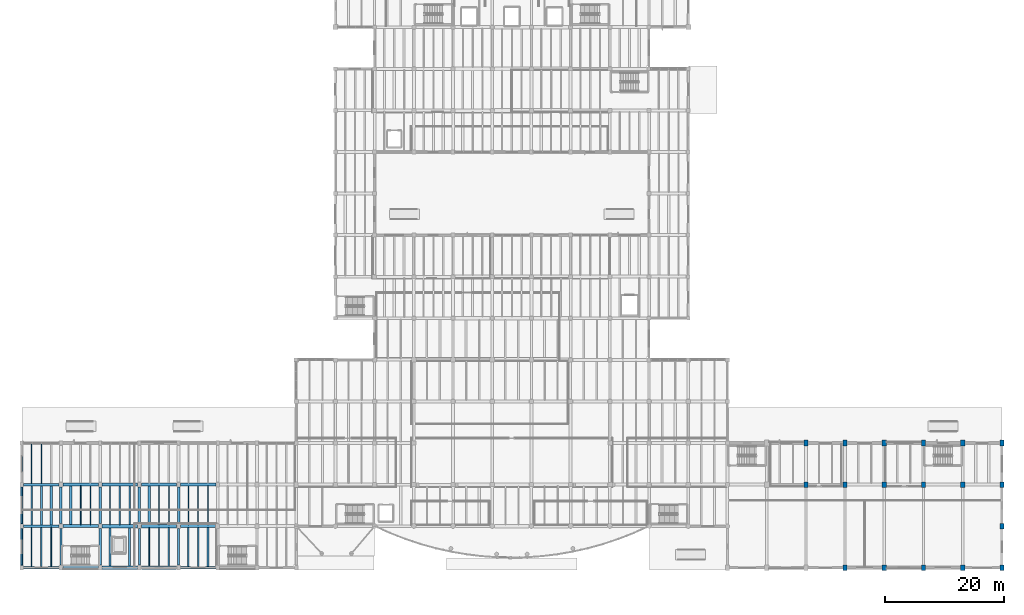
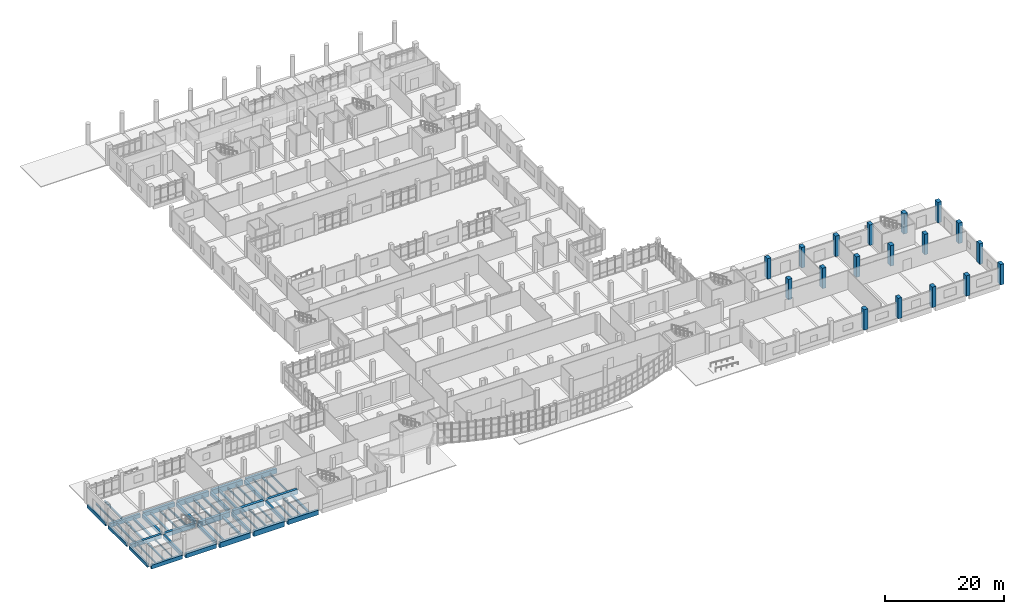
# One storey, part 2 of 69: 54 beams, 18 columns.
"""IFC4 building model written with IfcOpenShell, lengths in metres."""

from ifc_helpers import new_model, si_unit, direction, frame, origin, origin_2d, place, context, subcontext, project, spatial, rectangle, i_section, extrude, material, material_profile, profile_set, type_object, element, save


model = new_model("IFC4")

# Units and contexts
model_context = context("Model", 3, precision=1e-05, world=origin(), true_north=direction((0.0, 1.0)))
body_context = subcontext(model_context, "Body", "Model", "MODEL_VIEW")
ifc_project = project(units=[si_unit("LENGTHUNIT", "METRE"), si_unit("AREAUNIT", "SQUARE_METRE"), si_unit("VOLUMEUNIT", "CUBIC_METRE"), si_unit("PLANEANGLEUNIT", "RADIAN"), si_unit("MASSUNIT", "GRAM", prefix="KILO")], contexts=[model_context])

# Site, building, storey
site_placement = place(None, origin())
site = spatial("IfcSite", under=ifc_project, at=site_placement, CompositionType="ELEMENT")
building_placement = place(site_placement, origin())
building = spatial("IfcBuilding", under=site, at=building_placement, Name="Ciguamira Faculty of Natural Sciences", CompositionType="ELEMENT")
storey_placement = place(building_placement, origin())
storey = spatial("IfcBuildingStorey", under=building, at=storey_placement, Name="L00", CompositionType="ELEMENT", Elevation=0.0)

# Columns
ifc_material_1 = material(Name="Concrete C45/55", Category="concrete")
ifc_material_profile_1 = material_profile(ifc_material_1, rectangle(XDim=0.699951171875, YDim=0.949951171875, at=origin_2d()), Name="RC-COL-700X950")
ifc_profile_set_1 = profile_set([ifc_material_profile_1], Name="Concrete C45/55")
column_type = type_object("IfcColumnType", Name="Col_C-11_RC-COL-700X950", PredefinedType="COLUMN", material=ifc_profile_set_1)
for number, where, z_axis, x_axis, name in (
    (1, (136.5, 17.0, 0.0), (0.0, 0.0, 1.0), (1.0, 0.0, 0.0), "L00 column 21/C"),
    (2, (136.5, 24.0, 0.0), (0.0, 0.0, 1.0), (1.0, 0.0, 0.0), "L00 column 21/D"),
    (3, (143.10009765625, 3.0, 0.0), (0.0, 0.0, 1.0), (1.0, 0.0, 0.0), "L00 column 22/A"),
    (4, (143.10009765625, 17.0, 0.0), (0.0, 0.0, 1.0), (1.0, 0.0, 0.0), "L00 column 22/C"),
    (5, (143.10009765625, 24.0, 0.0), (0.0, 0.0, 1.0), (1.0, 0.0, 0.0), "L00 column 22/D"),
    (6, (149.699951171875, 3.0, 0.0), (0.0, 0.0, 1.0), (1.0, 0.0, 0.0), "L00 column 23/A"),
    (7, (149.699951171875, 17.0, 0.0), (0.0, 0.0, 1.0), (1.0, 0.0, 0.0), "L00 column 23/C"),
    (8, (149.699951171875, 24.0, 0.0), (0.0, 0.0, 1.0), (1.0, 0.0, 0.0), "L00 column 23/D"),
    (9, (156.300048828125, 3.0, 0.0), (0.0, 0.0, 1.0), (1.0, 0.0, 0.0), "L00 column 24/A"),
    (10, (156.300048828125, 17.0, 0.0), (0.0, 0.0, 1.0), (1.0, 0.0, 0.0), "L00 column 24/C"),
    (11, (156.300048828125, 24.0, 0.0), (0.0, 0.0, 1.0), (1.0, 0.0, 0.0), "L00 column 24/D"),
    (12, (162.89990234375, 3.0, 0.0), (0.0, 0.0, 1.0), (1.0, 0.0, 0.0), "L00 column 25/A"),
    (13, (162.89990234375, 17.0, 0.0), (0.0, 0.0, 1.0), (1.0, 0.0, 0.0), "L00 column 25/C"),
    (14, (162.89990234375, 24.0, 0.0), (0.0, 0.0, 1.0), (1.0, 0.0, 0.0), "L00 column 25/D"),
    (15, (169.5, 3.0, 0.0), (0.0, 0.0, 1.0), (1.0, 0.0, 0.0), "L00 column 26/A"),
    (16, (169.5, 10.0, 0.0), (0.0, 0.0, 1.0), (1.0, 0.0, 0.0), "L00 column 26/B"),
    (17, (169.5, 17.0, 0.0), (0.0, 0.0, 1.0), (1.0, 0.0, 0.0), "L00 column 26/C"),
    (18, (169.5, 24.0, 0.0), (0.0, 0.0, 1.0), (1.0, 0.0, 0.0), "L00 column 26/D"),
):
    element("IfcColumn", number, at=place(storey_placement, frame(where, z_axis=z_axis, x_axis=x_axis)), inside=storey, type_object=column_type, Name=name, PredefinedType="COLUMN", context=body_context, shape_type="SweptSolid", body=[
        extrude(rectangle(XDim=0.699951171875, YDim=0.949951171875, at=origin_2d()), origin(), (0.0, 0.0, 1.0), 4.199951171875),
    ])

# Beams
ifc_material_2 = material(Name="Concrete C40/50", Category="concrete")
ifc_material_profile_2 = material_profile(ifc_material_2, rectangle(XDim=0.550048828125, YDim=1.050048828125, at=origin_2d()), Name="RC-BM-550X1050")
ifc_profile_set_2 = profile_set([ifc_material_profile_2], Name="Concrete C40/50")
beam_type_1 = type_object("IfcBeamType", Name="RCBeam_BG-01_RC-BM-550X1050", PredefinedType="BEAM", material=ifc_profile_set_2)
beam_1_placement = place(storey_placement, frame((18.02490234375, 3.0, -0.52490234375), z_axis=(1.0, 0.0, 0.0), x_axis=(0.0, 1.0, 0.0)))
element("IfcBeam", 19, at=beam_1_placement, inside=storey, type_object=beam_type_1, Name="L00 RC girder EW-0003", PredefinedType="BEAM", context=body_context, shape_type="SweptSolid", body=[
    extrude(rectangle(XDim=0.550048828125, YDim=1.050048828125, at=origin_2d()), origin(), (0.0, 0.0, 1.0), 5.9501953125),
])
beam_2_placement = place(storey_placement, frame((24.625, 3.0, -0.52490234375), z_axis=(1.0, 0.0, 0.0), x_axis=(0.0, 1.0, 0.0)))
element("IfcBeam", 20, at=beam_2_placement, inside=storey, type_object=beam_type_1, Name="L00 RC girder EW-0004", PredefinedType="BEAM", context=body_context, shape_type="SweptSolid", body=[
    extrude(rectangle(XDim=0.550048828125, YDim=1.050048828125, at=origin_2d()), origin(), (0.0, 0.0, 1.0), 5.949951171875),
])
beam_3_placement = place(storey_placement, frame((18.02490234375, 10.0, -0.52490234375), z_axis=(1.0, 0.0, 0.0), x_axis=(0.0, 1.0, 0.0)))
element("IfcBeam", 21, at=beam_3_placement, inside=storey, type_object=beam_type_1, Name="L00 RC girder EW-0017", PredefinedType="BEAM", context=body_context, shape_type="SweptSolid", body=[
    extrude(rectangle(XDim=0.550048828125, YDim=1.050048828125, at=origin_2d()), origin(), (0.0, 0.0, 1.0), 5.9501953125),
])
beam_4_placement = place(storey_placement, frame((24.625, 10.0, -0.52490234375), z_axis=(1.0, 0.0, 0.0), x_axis=(0.0, 1.0, 0.0)))
element("IfcBeam", 22, at=beam_4_placement, inside=storey, type_object=beam_type_1, Name="L00 RC girder EW-0018", PredefinedType="BEAM", context=body_context, shape_type="SweptSolid", body=[
    extrude(rectangle(XDim=0.550048828125, YDim=1.050048828125, at=origin_2d()), origin(), (0.0, 0.0, 1.0), 5.949951171875),
])
beam_5_placement = place(storey_placement, frame((18.02490234375, 17.0, -0.52490234375), z_axis=(1.0, 0.0, 0.0), x_axis=(0.0, 1.0, 0.0)))
element("IfcBeam", 23, at=beam_5_placement, inside=storey, type_object=beam_type_1, Name="L00 RC girder EW-0035", PredefinedType="BEAM", context=body_context, shape_type="SweptSolid", body=[
    extrude(rectangle(XDim=0.550048828125, YDim=1.050048828125, at=origin_2d()), origin(), (0.0, 0.0, 1.0), 5.9501953125),
])
beam_6_placement = place(storey_placement, frame((24.625, 17.0, -0.52490234375), z_axis=(1.0, 0.0, 0.0), x_axis=(0.0, 1.0, 0.0)))
element("IfcBeam", 24, at=beam_6_placement, inside=storey, type_object=beam_type_1, Name="L00 RC girder EW-0036", PredefinedType="BEAM", context=body_context, shape_type="SweptSolid", body=[
    extrude(rectangle(XDim=0.550048828125, YDim=1.050048828125, at=origin_2d()), origin(), (0.0, 0.0, 1.0), 5.949951171875),
])
ifc_material_profile_3 = material_profile(ifc_material_2, rectangle(XDim=0.5, YDim=0.949951171875, at=origin_2d()), Name="RC-BM-500X950")
ifc_profile_set_3 = profile_set([ifc_material_profile_3], Name="Concrete C40/50")
beam_type_2 = type_object("IfcBeamType", Name="RCBeam_BG-02_RC-BM-500X950", PredefinedType="BEAM", material=ifc_profile_set_3)
for number, where, z_axis, x_axis, name in (
    (25, (31.22509765625, 3.0, -0.47509765625), (1.0, 0.0, 0.0), (0.0, 1.0, 0.0), "L00 RC girder EW-0005"),
    (26, (31.22509765625, 10.0, -0.47509765625), (1.0, 0.0, 0.0), (0.0, 1.0, 0.0), "L00 RC girder EW-0019"),
    (27, (31.22509765625, 17.0, -0.47509765625), (1.0, 0.0, 0.0), (0.0, 1.0, 0.0), "L00 RC girder EW-0037"),
):
    element("IfcBeam", number, at=place(storey_placement, frame(where, z_axis=z_axis, x_axis=x_axis)), inside=storey, type_object=beam_type_2, Name=name, PredefinedType="BEAM", context=body_context, shape_type="SweptSolid", body=[
        extrude(rectangle(XDim=0.5, YDim=0.949951171875, at=origin_2d()), origin(), (0.0, 0.0, 1.0), 5.949951171875),
    ])
ifc_material_profile_4 = material_profile(ifc_material_2, rectangle(XDim=0.449951171875, YDim=0.800048828125, at=origin_2d()), Name="RC-BM-450X800")
ifc_profile_set_4 = profile_set([ifc_material_profile_4], Name="Concrete C40/50")
beam_type_3 = type_object("IfcBeamType", Name="RCBeam_BG-05_RC-BM-450X800", PredefinedType="BEAM", material=ifc_profile_set_4)
for number, where, z_axis, x_axis, name in (
    (28, (4.824951171875, 3.0, -0.39990234375), (1.0, 0.0, 0.0), (0.0, 1.0, 0.0), "L00 RC girder EW-0001"),
    (29, (4.824951171875, 10.0, -0.39990234375), (1.0, 0.0, 0.0), (0.0, 1.0, 0.0), "L00 RC girder EW-0015"),
    (30, (4.824951171875, 17.0, -0.39990234375), (1.0, 0.0, 0.0), (0.0, 1.0, 0.0), "L00 RC girder EW-0033"),
):
    element("IfcBeam", number, at=place(storey_placement, frame(where, z_axis=z_axis, x_axis=x_axis)), inside=storey, type_object=beam_type_3, Name=name, PredefinedType="BEAM", context=body_context, shape_type="SweptSolid", body=[
        extrude(rectangle(XDim=0.449951171875, YDim=0.800048828125, at=origin_2d()), origin(), (0.0, 0.0, 1.0), 5.949951171875),
    ])
ifc_material_profile_5 = material_profile(ifc_material_2, rectangle(XDim=0.419921875, YDim=0.739990234375, at=origin_2d()), Name="RC-BM-420X740")
ifc_profile_set_5 = profile_set([ifc_material_profile_5], Name="Concrete C40/50")
beam_type_4 = type_object("IfcBeamType", Name="RCBeam_BG-07_RC-BM-420X740", PredefinedType="BEAM", material=ifc_profile_set_5)
for number, where, z_axis, x_axis, name in (
    (31, (11.10009765625, 10.425048828125, -0.3701171875), (0.0, 1.0, 0.0), (-1.0, 0.0, 0.0), "L00 girder NS-0196"),
    (32, (17.699951171875, 10.425048828125, -0.3701171875), (0.0, 1.0, 0.0), (-1.0, 0.0, 0.0), "L00 girder NS-0199"),
    (33, (24.300048828125, 10.425048828125, -0.3701171875), (0.0, 1.0, 0.0), (-1.0, 0.0, 0.0), "L00 girder NS-0202"),
    (34, (30.89990234375, 10.425048828125, -0.3701171875), (0.0, 1.0, 0.0), (-1.0, 0.0, 0.0), "L00 girder NS-0205"),
):
    element("IfcBeam", number, at=place(storey_placement, frame(where, z_axis=z_axis, x_axis=x_axis)), inside=storey, type_object=beam_type_4, Name=name, PredefinedType="BEAM", context=body_context, shape_type="SweptSolid", body=[
        extrude(rectangle(XDim=0.419921875, YDim=0.739990234375, at=origin_2d()), origin(), (0.0, 0.0, 1.0), 6.14990234375),
    ])
ifc_material_profile_6 = material_profile(ifc_material_2, rectangle(XDim=0.3798828125, YDim=0.679931640625, at=origin_2d()), Name="RC-BM-380X680")
ifc_profile_set_6 = profile_set([ifc_material_profile_6], Name="Concrete C40/50")
beam_type_5 = type_object("IfcBeamType", Name="RCBeam_BG-09_RC-BM-380X680", PredefinedType="BEAM", material=ifc_profile_set_6)
for number, where, z_axis, x_axis, name in (
    (35, (11.10009765625, 3.425048828125, -0.340087890625), (0.0, 1.0, 0.0), (-1.0, 0.0, 0.0), "L00 girder NS-0195"),
    (36, (17.699951171875, 3.425048828125, -0.340087890625), (0.0, 1.0, 0.0), (-1.0, 0.0, 0.0), "L00 girder NS-0198"),
    (37, (24.300048828125, 3.425048828125, -0.340087890625), (0.0, 1.0, 0.0), (-1.0, 0.0, 0.0), "L00 girder NS-0201"),
    (38, (30.89990234375, 3.425048828125, -0.340087890625), (0.0, 1.0, 0.0), (-1.0, 0.0, 0.0), "L00 girder NS-0204"),
):
    element("IfcBeam", number, at=place(storey_placement, frame(where, z_axis=z_axis, x_axis=x_axis)), inside=storey, type_object=beam_type_5, Name=name, PredefinedType="BEAM", context=body_context, shape_type="SweptSolid", body=[
        extrude(rectangle(XDim=0.3798828125, YDim=0.679931640625, at=origin_2d()), origin(), (0.0, 0.0, 1.0), 6.14990234375),
    ])
ifc_material_3 = material(Name="Precast concrete C40/50", Category="concrete")
ifc_material_profile_7 = material_profile(ifc_material_3, rectangle(XDim=0.320068359375, YDim=0.679931640625, at=origin_2d()), Name="RC-SP-320X680")
ifc_profile_set_7 = profile_set([ifc_material_profile_7], Name="Precast concrete C40/50")
beam_type_6 = type_object("IfcBeamType", Name="RCBeam_SP-02_RC-SP-320X680", PredefinedType="SPANDREL", material=ifc_profile_set_7)
for number, where, z_axis, x_axis, name in (
    (39, (4.5, 3.425048828125, -0.340087890625), (0.0, 1.0, 0.0), (-1.0, 0.0, 0.0), "L00 girder NS-0192"),
    (40, (4.5, 10.425048828125, -0.340087890625), (0.0, 1.0, 0.0), (-1.0, 0.0, 0.0), "L00 girder NS-0193"),
    (41, (4.5, 17.425048828125, -0.340087890625), (0.0, 1.0, 0.0), (-1.0, 0.0, 0.0), "L00 girder NS-0194"),
):
    element("IfcBeam", number, at=place(storey_placement, frame(where, z_axis=z_axis, x_axis=x_axis)), inside=storey, type_object=beam_type_6, Name=name, PredefinedType="SPANDREL", context=body_context, shape_type="SweptSolid", body=[
        extrude(rectangle(XDim=0.320068359375, YDim=0.679931640625, at=origin_2d()), origin(), (0.0, 0.0, 1.0), 6.14990234375),
    ])
ifc_material_profile_8 = material_profile(ifc_material_2, rectangle(XDim=0.52001953125, YDim=0.840087890625, at=origin_2d()), Name="RC-TB-520X840")
ifc_profile_set_8 = profile_set([ifc_material_profile_8], Name="Concrete C40/50")
beam_type_7 = type_object("IfcBeamType", Name="RCBeam_TB-02_RC-TB-520X840", PredefinedType="T_BEAM", material=ifc_profile_set_8)
for number, where, z_axis, x_axis, name in (
    (42, (11.425048828125, 3.0, -0.419921875), (1.0, 0.0, 0.0), (0.0, 1.0, 0.0), "L00 RC girder EW-0002"),
    (43, (11.425048828125, 10.0, -0.419921875), (1.0, 0.0, 0.0), (0.0, 1.0, 0.0), "L00 RC girder EW-0016"),
    (44, (11.425048828125, 17.0, -0.419921875), (1.0, 0.0, 0.0), (0.0, 1.0, 0.0), "L00 RC girder EW-0034"),
):
    element("IfcBeam", number, at=place(storey_placement, frame(where, z_axis=z_axis, x_axis=x_axis)), inside=storey, type_object=beam_type_7, Name=name, PredefinedType="T_BEAM", context=body_context, shape_type="SweptSolid", body=[
        extrude(rectangle(XDim=0.52001953125, YDim=0.840087890625, at=origin_2d()), origin(), (0.0, 0.0, 1.0), 5.949951171875),
    ])
ifc_material_4 = material(Name="Steel ASTM A992 Grade 50", Category="steel")
ifc_material_profile_9 = material_profile(ifc_material_4, i_section(OverallWidth=0.2021484375, OverallDepth=0.2470703125, WebThickness=0.00732421875, FlangeThickness=0.010986328125, at=origin_2d()), Name="W10X33")
ifc_profile_set_9 = profile_set([ifc_material_profile_9], Name="Steel ASTM A992 Grade 50")
beam_type_8 = type_object("IfcBeamType", Name="SteelJoist_SJ-02_W10X33", PredefinedType="JOIST", material=ifc_profile_set_9)
beam_7_placement = place(storey_placement, frame((6.14990234375, 3.18505859375, -0.523681640625), z_axis=(0.0, 1.0, 0.0), x_axis=(-1.0, 0.0, 0.0)))
element("IfcBeam", 45, at=beam_7_placement, inside=storey, type_object=beam_type_8, Name="L00 composite steel joist 00001", PredefinedType="JOIST", context=body_context, shape_type="SweptSolid", body=[
    extrude(i_section(OverallWidth=0.2021484375, OverallDepth=0.2470703125, WebThickness=0.00732421875, FlangeThickness=0.010986328125, at=origin_2d()), origin(), (0.0, 0.0, 1.0), 6.6298828125),
])
ifc_material_profile_10 = material_profile(ifc_material_4, i_section(OverallWidth=0.25390625, OverallDepth=0.25390625, WebThickness=0.008544921875, FlangeThickness=0.01416015625, at=origin_2d()), Name="W10X49")
ifc_profile_set_10 = profile_set([ifc_material_profile_10], Name="Steel ASTM A992 Grade 50")
beam_type_9 = type_object("IfcBeamType", Name="SteelJoist_SJ-03_W10X49", PredefinedType="JOIST", material=ifc_profile_set_10)
beam_8_placement = place(storey_placement, frame((7.800048828125, 3.18505859375, -0.527099609375), z_axis=(0.0, 1.0, 0.0), x_axis=(-1.0, 0.0, 0.0)))
element("IfcBeam", 46, at=beam_8_placement, inside=storey, type_object=beam_type_9, Name="L00 composite steel joist 00002", PredefinedType="JOIST", context=body_context, shape_type="SweptSolid", body=[
    extrude(i_section(OverallWidth=0.25390625, OverallDepth=0.25390625, WebThickness=0.008544921875, FlangeThickness=0.01416015625, at=origin_2d()), origin(), (0.0, 0.0, 1.0), 6.6298828125),
])
ifc_material_profile_11 = material_profile(ifc_material_4, i_section(OverallWidth=0.164794921875, OverallDepth=0.309814453125, WebThickness=0.005859375, FlangeThickness=0.009765625, at=origin_2d()), Name="W12X26")
ifc_profile_set_11 = profile_set([ifc_material_profile_11], Name="Steel ASTM A992 Grade 50")
beam_type_10 = type_object("IfcBeamType", Name="SteelJoist_SJ-04_W12X26", PredefinedType="JOIST", material=ifc_profile_set_11)
beam_9_placement = place(storey_placement, frame((9.449951171875, 3.18505859375, -0.554931640625), z_axis=(0.0, 1.0, 0.0), x_axis=(-1.0, 0.0, 0.0)))
element("IfcBeam", 47, at=beam_9_placement, inside=storey, type_object=beam_type_10, Name="L00 composite steel joist 00003", PredefinedType="JOIST", context=body_context, shape_type="SweptSolid", body=[
    extrude(i_section(OverallWidth=0.164794921875, OverallDepth=0.309814453125, WebThickness=0.005859375, FlangeThickness=0.009765625, at=origin_2d()), origin(), (0.0, 0.0, 1.0), 6.6298828125),
])
ifc_material_profile_12 = material_profile(ifc_material_4, i_section(OverallWidth=0.25390625, OverallDepth=0.307373046875, WebThickness=0.0087890625, FlangeThickness=0.0146484375, at=origin_2d()), Name="W12X53")
ifc_profile_set_12 = profile_set([ifc_material_profile_12], Name="Steel ASTM A992 Grade 50")
beam_type_11 = type_object("IfcBeamType", Name="SteelJoist_SJ-07_W12X53", PredefinedType="JOIST", material=ifc_profile_set_12)
beam_10_placement = place(storey_placement, frame((6.14990234375, 10.18505859375, -0.5537109375), z_axis=(0.0, 1.0, 0.0), x_axis=(-1.0, 0.0, 0.0)))
element("IfcBeam", 48, at=beam_10_placement, inside=storey, type_object=beam_type_11, Name="L00 composite steel joist 00004", PredefinedType="JOIST", context=body_context, shape_type="SweptSolid", body=[
    extrude(i_section(OverallWidth=0.25390625, OverallDepth=0.307373046875, WebThickness=0.0087890625, FlangeThickness=0.0146484375, at=origin_2d()), origin(), (0.0, 0.0, 1.0), 6.6298828125),
])
ifc_material_profile_13 = material_profile(ifc_material_4, i_section(OverallWidth=0.3046875, OverallDepth=0.307373046875, WebThickness=0.010009765625, FlangeThickness=0.015380859375, at=origin_2d()), Name="W12X65")
ifc_profile_set_13 = profile_set([ifc_material_profile_13], Name="Steel ASTM A992 Grade 50")
beam_type_12 = type_object("IfcBeamType", Name="SteelJoist_SJ-08_W12X65", PredefinedType="JOIST", material=ifc_profile_set_13)
beam_11_placement = place(storey_placement, frame((7.800048828125, 10.18505859375, -0.5537109375), z_axis=(0.0, 1.0, 0.0), x_axis=(-1.0, 0.0, 0.0)))
element("IfcBeam", 49, at=beam_11_placement, inside=storey, type_object=beam_type_12, Name="L00 composite steel joist 00005", PredefinedType="JOIST", context=body_context, shape_type="SweptSolid", body=[
    extrude(i_section(OverallWidth=0.3046875, OverallDepth=0.307373046875, WebThickness=0.010009765625, FlangeThickness=0.015380859375, at=origin_2d()), origin(), (0.0, 0.0, 1.0), 6.6298828125),
])
beam_12_placement = place(storey_placement, frame((19.35009765625, 3.235107421875, -0.5537109375), z_axis=(0.0, 1.0, 0.0), x_axis=(-1.0, 0.0, 0.0)))
element("IfcBeam", 50, at=beam_12_placement, inside=storey, type_object=beam_type_12, Name="L00 composite steel joist 00016", PredefinedType="JOIST", context=body_context, shape_type="SweptSolid", body=[
    extrude(i_section(OverallWidth=0.3046875, OverallDepth=0.307373046875, WebThickness=0.010009765625, FlangeThickness=0.015380859375, at=origin_2d()), origin(), (0.0, 0.0, 1.0), 6.52978515625),
])
ifc_material_profile_14 = material_profile(ifc_material_4, i_section(OverallWidth=0.370849609375, OverallDepth=0.36328125, WebThickness=0.013427734375, FlangeThickness=0.021728515625, at=origin_2d()), Name="W14X109")
ifc_profile_set_14 = profile_set([ifc_material_profile_14], Name="Steel ASTM A992 Grade 50")
beam_type_13 = type_object("IfcBeamType", Name="SteelJoist_SJ-09_W14X109", PredefinedType="JOIST", material=ifc_profile_set_14)
beam_13_placement = place(storey_placement, frame((9.449951171875, 10.18505859375, -0.58154296875), z_axis=(0.0, 1.0, 0.0), x_axis=(-1.0, 0.0, 0.0)))
element("IfcBeam", 51, at=beam_13_placement, inside=storey, type_object=beam_type_13, Name="L00 composite steel joist 00006", PredefinedType="JOIST", context=body_context, shape_type="SweptSolid", body=[
    extrude(i_section(OverallWidth=0.370849609375, OverallDepth=0.36328125, WebThickness=0.013427734375, FlangeThickness=0.021728515625, at=origin_2d()), origin(), (0.0, 0.0, 1.0), 6.6298828125),
])
ifc_material_profile_15 = material_profile(ifc_material_4, i_section(OverallWidth=0.373291015625, OverallDepth=0.373291015625, WebThickness=0.016357421875, FlangeThickness=0.026123046875, at=origin_2d()), Name="W14X132")
ifc_profile_set_15 = profile_set([ifc_material_profile_15], Name="Steel ASTM A992 Grade 50")
beam_type_14 = type_object("IfcBeamType", Name="SteelJoist_SJ-10_W14X132", PredefinedType="JOIST", material=ifc_profile_set_15)
beam_14_placement = place(storey_placement, frame((12.75, 10.219970703125, -0.586669921875), z_axis=(0.0, 1.0, 0.0), x_axis=(-1.0, 0.0, 0.0)))
element("IfcBeam", 52, at=beam_14_placement, inside=storey, type_object=beam_type_14, Name="L00 composite steel joist 00010", PredefinedType="JOIST", context=body_context, shape_type="SweptSolid", body=[
    extrude(i_section(OverallWidth=0.373291015625, OverallDepth=0.373291015625, WebThickness=0.016357421875, FlangeThickness=0.026123046875, at=origin_2d()), origin(), (0.0, 0.0, 1.0), 6.56005859375),
])
beam_15_placement = place(storey_placement, frame((22.64990234375, 3.235107421875, -0.586669921875), z_axis=(0.0, 1.0, 0.0), x_axis=(-1.0, 0.0, 0.0)))
element("IfcBeam", 53, at=beam_15_placement, inside=storey, type_object=beam_type_14, Name="L00 composite steel joist 00017", PredefinedType="JOIST", context=body_context, shape_type="SweptSolid", body=[
    extrude(i_section(OverallWidth=0.373291015625, OverallDepth=0.373291015625, WebThickness=0.016357421875, FlangeThickness=0.026123046875, at=origin_2d()), origin(), (0.0, 0.0, 1.0), 6.52978515625),
])
ifc_material_profile_16 = material_profile(ifc_material_4, i_section(OverallWidth=0.1708984375, OverallDepth=0.3505859375, WebThickness=0.0068359375, FlangeThickness=0.009765625, at=origin_2d()), Name="W14X30")
ifc_profile_set_16 = profile_set([ifc_material_profile_16], Name="Steel ASTM A992 Grade 50")
beam_type_15 = type_object("IfcBeamType", Name="SteelJoist_SJ-11_W14X30", PredefinedType="JOIST", material=ifc_profile_set_16)
beam_16_placement = place(storey_placement, frame((14.39990234375, 10.219970703125, -0.5751953125), z_axis=(0.0, 1.0, 0.0), x_axis=(-1.0, 0.0, 0.0)))
element("IfcBeam", 54, at=beam_16_placement, inside=storey, type_object=beam_type_15, Name="L00 composite steel joist 00011", PredefinedType="JOIST", context=body_context, shape_type="SweptSolid", body=[
    extrude(i_section(OverallWidth=0.1708984375, OverallDepth=0.3505859375, WebThickness=0.0068359375, FlangeThickness=0.009765625, at=origin_2d()), origin(), (0.0, 0.0, 1.0), 6.56005859375),
])
beam_17_placement = place(storey_placement, frame((25.949951171875, 3.235107421875, -0.5751953125), z_axis=(0.0, 1.0, 0.0), x_axis=(-1.0, 0.0, 0.0)))
element("IfcBeam", 55, at=beam_17_placement, inside=storey, type_object=beam_type_15, Name="L00 composite steel joist 00024", PredefinedType="JOIST", context=body_context, shape_type="SweptSolid", body=[
    extrude(i_section(OverallWidth=0.1708984375, OverallDepth=0.3505859375, WebThickness=0.0068359375, FlangeThickness=0.009765625, at=origin_2d()), origin(), (0.0, 0.0, 1.0), 6.52978515625),
])
ifc_material_profile_17 = material_profile(ifc_material_4, i_section(OverallWidth=0.203125, OverallDepth=0.347900390625, WebThickness=0.0078125, FlangeThickness=0.013427734375, at=origin_2d()), Name="W14X43")
ifc_profile_set_17 = profile_set([ifc_material_profile_17], Name="Steel ASTM A992 Grade 50")
beam_type_16 = type_object("IfcBeamType", Name="SteelJoist_SJ-12_W14X43", PredefinedType="JOIST", material=ifc_profile_set_17)
beam_18_placement = place(storey_placement, frame((6.14990234375, 17.18505859375, -0.573974609375), z_axis=(0.0, 1.0, 0.0), x_axis=(-1.0, 0.0, 0.0)))
element("IfcBeam", 56, at=beam_18_placement, inside=storey, type_object=beam_type_16, Name="L00 composite steel joist 00007", PredefinedType="JOIST", context=body_context, shape_type="SweptSolid", body=[
    extrude(i_section(OverallWidth=0.203125, OverallDepth=0.347900390625, WebThickness=0.0078125, FlangeThickness=0.013427734375, at=origin_2d()), origin(), (0.0, 0.0, 1.0), 6.6298828125),
])
beam_19_placement = place(storey_placement, frame((16.050048828125, 10.219970703125, -0.573974609375), z_axis=(0.0, 1.0, 0.0), x_axis=(-1.0, 0.0, 0.0)))
element("IfcBeam", 57, at=beam_19_placement, inside=storey, type_object=beam_type_16, Name="L00 composite steel joist 00012", PredefinedType="JOIST", context=body_context, shape_type="SweptSolid", body=[
    extrude(i_section(OverallWidth=0.203125, OverallDepth=0.347900390625, WebThickness=0.0078125, FlangeThickness=0.013427734375, at=origin_2d()), origin(), (0.0, 0.0, 1.0), 6.56005859375),
])
beam_20_placement = place(storey_placement, frame((27.60009765625, 3.235107421875, -0.573974609375), z_axis=(0.0, 1.0, 0.0), x_axis=(-1.0, 0.0, 0.0)))
element("IfcBeam", 58, at=beam_20_placement, inside=storey, type_object=beam_type_16, Name="L00 composite steel joist 00025", PredefinedType="JOIST", context=body_context, shape_type="SweptSolid", body=[
    extrude(i_section(OverallWidth=0.203125, OverallDepth=0.347900390625, WebThickness=0.0078125, FlangeThickness=0.013427734375, at=origin_2d()), origin(), (0.0, 0.0, 1.0), 6.52978515625),
])
ifc_material_profile_18 = material_profile(ifc_material_4, i_section(OverallWidth=0.204833984375, OverallDepth=0.35302734375, WebThickness=0.00927734375, FlangeThickness=0.016845703125, at=origin_2d()), Name="W14X53")
ifc_profile_set_18 = profile_set([ifc_material_profile_18], Name="Steel ASTM A992 Grade 50")
beam_type_17 = type_object("IfcBeamType", Name="SteelJoist_SJ-13_W14X53", PredefinedType="JOIST", material=ifc_profile_set_18)
beam_21_placement = place(storey_placement, frame((7.800048828125, 17.18505859375, -0.576416015625), z_axis=(0.0, 1.0, 0.0), x_axis=(-1.0, 0.0, 0.0)))
element("IfcBeam", 59, at=beam_21_placement, inside=storey, type_object=beam_type_17, Name="L00 composite steel joist 00008", PredefinedType="JOIST", context=body_context, shape_type="SweptSolid", body=[
    extrude(i_section(OverallWidth=0.204833984375, OverallDepth=0.35302734375, WebThickness=0.00927734375, FlangeThickness=0.016845703125, at=origin_2d()), origin(), (0.0, 0.0, 1.0), 6.6298828125),
])
for number, where, z_axis, x_axis, name in (
    (60, (19.35009765625, 10.235107421875, -0.576416015625), (0.0, 1.0, 0.0), (-1.0, 0.0, 0.0), "L00 composite steel joist 00018"),
    (61, (29.25, 3.235107421875, -0.576416015625), (0.0, 1.0, 0.0), (-1.0, 0.0, 0.0), "L00 composite steel joist 00026"),
):
    element("IfcBeam", number, at=place(storey_placement, frame(where, z_axis=z_axis, x_axis=x_axis)), inside=storey, type_object=beam_type_17, Name=name, PredefinedType="JOIST", context=body_context, shape_type="SweptSolid", body=[
        extrude(i_section(OverallWidth=0.204833984375, OverallDepth=0.35302734375, WebThickness=0.00927734375, FlangeThickness=0.016845703125, at=origin_2d()), origin(), (0.0, 0.0, 1.0), 6.52978515625),
    ])
ifc_material_profile_19 = material_profile(ifc_material_4, i_section(OverallWidth=0.25390625, OverallDepth=0.355712890625, WebThickness=0.010498046875, FlangeThickness=0.018310546875, at=origin_2d()), Name="W14X68")
ifc_profile_set_19 = profile_set([ifc_material_profile_19], Name="Steel ASTM A992 Grade 50")
beam_type_18 = type_object("IfcBeamType", Name="SteelJoist_SJ-14_W14X68", PredefinedType="JOIST", material=ifc_profile_set_19)
beam_22_placement = place(storey_placement, frame((21.0, 10.235107421875, -0.577880859375), z_axis=(0.0, 1.0, 0.0), x_axis=(-1.0, 0.0, 0.0)))
element("IfcBeam", 62, at=beam_22_placement, inside=storey, type_object=beam_type_18, Name="L00 composite steel joist 00019", PredefinedType="JOIST", context=body_context, shape_type="SweptSolid", body=[
    extrude(i_section(OverallWidth=0.25390625, OverallDepth=0.355712890625, WebThickness=0.010498046875, FlangeThickness=0.018310546875, at=origin_2d()), origin(), (0.0, 0.0, 1.0), 6.52978515625),
])
beam_23_placement = place(storey_placement, frame((32.550048828125, 3.2099609375, -0.577880859375), z_axis=(0.0, 1.0, 0.0), x_axis=(-1.0, 0.0, 0.0)))
element("IfcBeam", 63, at=beam_23_placement, inside=storey, type_object=beam_type_18, Name="L00 composite steel joist 00033", PredefinedType="JOIST", context=body_context, shape_type="SweptSolid", body=[
    extrude(i_section(OverallWidth=0.25390625, OverallDepth=0.355712890625, WebThickness=0.010498046875, FlangeThickness=0.018310546875, at=origin_2d()), origin(), (0.0, 0.0, 1.0), 6.580078125),
])
ifc_material_profile_20 = material_profile(ifc_material_4, i_section(OverallWidth=0.256591796875, OverallDepth=0.36328125, WebThickness=0.012939453125, FlangeThickness=0.021728515625, at=origin_2d()), Name="W14X82")
ifc_profile_set_20 = profile_set([ifc_material_profile_20], Name="Steel ASTM A992 Grade 50")
beam_type_19 = type_object("IfcBeamType", Name="SteelJoist_SJ-15_W14X82", PredefinedType="JOIST", material=ifc_profile_set_20)
beam_24_placement = place(storey_placement, frame((22.64990234375, 10.235107421875, -0.58154296875), z_axis=(0.0, 1.0, 0.0), x_axis=(-1.0, 0.0, 0.0)))
element("IfcBeam", 64, at=beam_24_placement, inside=storey, type_object=beam_type_19, Name="L00 composite steel joist 00020", PredefinedType="JOIST", context=body_context, shape_type="SweptSolid", body=[
    extrude(i_section(OverallWidth=0.256591796875, OverallDepth=0.36328125, WebThickness=0.012939453125, FlangeThickness=0.021728515625, at=origin_2d()), origin(), (0.0, 0.0, 1.0), 6.52978515625),
])
beam_25_placement = place(storey_placement, frame((34.199951171875, 3.2099609375, -0.58154296875), z_axis=(0.0, 1.0, 0.0), x_axis=(-1.0, 0.0, 0.0)))
element("IfcBeam", 65, at=beam_25_placement, inside=storey, type_object=beam_type_19, Name="L00 composite steel joist 00034", PredefinedType="JOIST", context=body_context, shape_type="SweptSolid", body=[
    extrude(i_section(OverallWidth=0.256591796875, OverallDepth=0.36328125, WebThickness=0.012939453125, FlangeThickness=0.021728515625, at=origin_2d()), origin(), (0.0, 0.0, 1.0), 6.580078125),
])
ifc_material_profile_21 = material_profile(ifc_material_4, i_section(OverallWidth=0.368408203125, OverallDepth=0.355712890625, WebThickness=0.01123046875, FlangeThickness=0.01806640625, at=origin_2d()), Name="W14X90")
ifc_profile_set_21 = profile_set([ifc_material_profile_21], Name="Steel ASTM A992 Grade 50")
beam_type_20 = type_object("IfcBeamType", Name="SteelJoist_SJ-16_W14X90", PredefinedType="JOIST", material=ifc_profile_set_21)
beam_26_placement = place(storey_placement, frame((25.949951171875, 10.235107421875, -0.577880859375), z_axis=(0.0, 1.0, 0.0), x_axis=(-1.0, 0.0, 0.0)))
element("IfcBeam", 66, at=beam_26_placement, inside=storey, type_object=beam_type_20, Name="L00 composite steel joist 00027", PredefinedType="JOIST", context=body_context, shape_type="SweptSolid", body=[
    extrude(i_section(OverallWidth=0.368408203125, OverallDepth=0.355712890625, WebThickness=0.01123046875, FlangeThickness=0.01806640625, at=origin_2d()), origin(), (0.0, 0.0, 1.0), 6.52978515625),
])
beam_27_placement = place(storey_placement, frame((35.85009765625, 3.2099609375, -0.577880859375), z_axis=(0.0, 1.0, 0.0), x_axis=(-1.0, 0.0, 0.0)))
element("IfcBeam", 67, at=beam_27_placement, inside=storey, type_object=beam_type_20, Name="L00 composite steel joist 00035", PredefinedType="JOIST", context=body_context, shape_type="SweptSolid", body=[
    extrude(i_section(OverallWidth=0.368408203125, OverallDepth=0.355712890625, WebThickness=0.01123046875, FlangeThickness=0.01806640625, at=origin_2d()), origin(), (0.0, 0.0, 1.0), 6.580078125),
])
ifc_material_profile_22 = material_profile(ifc_material_4, i_section(OverallWidth=0.140380859375, OverallDepth=0.40380859375, WebThickness=0.007080078125, FlangeThickness=0.01123046875, at=origin_2d()), Name="W16X31")
ifc_profile_set_22 = profile_set([ifc_material_profile_22], Name="Steel ASTM A992 Grade 50")
beam_type_21 = type_object("IfcBeamType", Name="SteelJoist_SJ-17_W16X31", PredefinedType="JOIST", material=ifc_profile_set_22)
beam_28_placement = place(storey_placement, frame((27.60009765625, 10.235107421875, -0.601806640625), z_axis=(0.0, 1.0, 0.0), x_axis=(-1.0, 0.0, 0.0)))
element("IfcBeam", 68, at=beam_28_placement, inside=storey, type_object=beam_type_21, Name="L00 composite steel joist 00028", PredefinedType="JOIST", context=body_context, shape_type="SweptSolid", body=[
    extrude(i_section(OverallWidth=0.140380859375, OverallDepth=0.40380859375, WebThickness=0.007080078125, FlangeThickness=0.01123046875, at=origin_2d()), origin(), (0.0, 0.0, 1.0), 6.52978515625),
])
ifc_material_profile_23 = material_profile(ifc_material_4, i_section(OverallWidth=0.177490234375, OverallDepth=0.40380859375, WebThickness=0.007568359375, FlangeThickness=0.010986328125, at=origin_2d()), Name="W16X36")
ifc_profile_set_23 = profile_set([ifc_material_profile_23], Name="Steel ASTM A992 Grade 50")
beam_type_22 = type_object("IfcBeamType", Name="SteelJoist_SJ-18_W16X36", PredefinedType="JOIST", material=ifc_profile_set_23)
beam_29_placement = place(storey_placement, frame((29.25, 10.235107421875, -0.601806640625), z_axis=(0.0, 1.0, 0.0), x_axis=(-1.0, 0.0, 0.0)))
element("IfcBeam", 69, at=beam_29_placement, inside=storey, type_object=beam_type_22, Name="L00 composite steel joist 00029", PredefinedType="JOIST", context=body_context, shape_type="SweptSolid", body=[
    extrude(i_section(OverallWidth=0.177490234375, OverallDepth=0.40380859375, WebThickness=0.007568359375, FlangeThickness=0.010986328125, at=origin_2d()), origin(), (0.0, 0.0, 1.0), 6.52978515625),
])
ifc_material_profile_24 = material_profile(ifc_material_4, i_section(OverallWidth=0.1787109375, OverallDepth=0.408935546875, WebThickness=0.0087890625, FlangeThickness=0.014404296875, at=origin_2d()), Name="W16X45")
ifc_profile_set_24 = profile_set([ifc_material_profile_24], Name="Steel ASTM A992 Grade 50")
beam_type_23 = type_object("IfcBeamType", Name="SteelJoist_SJ-19_W16X45", PredefinedType="JOIST", material=ifc_profile_set_24)
beam_30_placement = place(storey_placement, frame((32.550048828125, 10.2099609375, -0.6044921875), z_axis=(0.0, 1.0, 0.0), x_axis=(-1.0, 0.0, 0.0)))
element("IfcBeam", 70, at=beam_30_placement, inside=storey, type_object=beam_type_23, Name="L00 composite steel joist 00036", PredefinedType="JOIST", context=body_context, shape_type="SweptSolid", body=[
    extrude(i_section(OverallWidth=0.1787109375, OverallDepth=0.408935546875, WebThickness=0.0087890625, FlangeThickness=0.014404296875, at=origin_2d()), origin(), (0.0, 0.0, 1.0), 6.580078125),
])
ifc_material_profile_25 = material_profile(ifc_material_4, i_section(OverallWidth=0.180908203125, OverallDepth=0.41650390625, WebThickness=0.010986328125, FlangeThickness=0.01806640625, at=origin_2d()), Name="W16X57")
ifc_profile_set_25 = profile_set([ifc_material_profile_25], Name="Steel ASTM A992 Grade 50")
beam_type_24 = type_object("IfcBeamType", Name="SteelJoist_SJ-20_W16X57", PredefinedType="JOIST", material=ifc_profile_set_25)
beam_31_placement = place(storey_placement, frame((34.199951171875, 10.2099609375, -0.6083984375), z_axis=(0.0, 1.0, 0.0), x_axis=(-1.0, 0.0, 0.0)))
element("IfcBeam", 71, at=beam_31_placement, inside=storey, type_object=beam_type_24, Name="L00 composite steel joist 00037", PredefinedType="JOIST", context=body_context, shape_type="SweptSolid", body=[
    extrude(i_section(OverallWidth=0.180908203125, OverallDepth=0.41650390625, WebThickness=0.010986328125, FlangeThickness=0.01806640625, at=origin_2d()), origin(), (0.0, 0.0, 1.0), 6.580078125),
])
ifc_material_profile_26 = material_profile(ifc_material_4, i_section(OverallWidth=0.15234375, OverallDepth=0.449462890625, WebThickness=0.007568359375, FlangeThickness=0.0107421875, at=origin_2d()), Name="W18X35")
ifc_profile_set_26 = profile_set([ifc_material_profile_26], Name="Steel ASTM A992 Grade 50")
beam_type_25 = type_object("IfcBeamType", Name="SteelJoist_SJ-21_W18X35", PredefinedType="JOIST", material=ifc_profile_set_26)
beam_32_placement = place(storey_placement, frame((35.85009765625, 10.2099609375, -0.624755859375), z_axis=(0.0, 1.0, 0.0), x_axis=(-1.0, 0.0, 0.0)))
element("IfcBeam", 72, at=beam_32_placement, inside=storey, type_object=beam_type_25, Name="L00 composite steel joist 00038", PredefinedType="JOIST", context=body_context, shape_type="SweptSolid", body=[
    extrude(i_section(OverallWidth=0.15234375, OverallDepth=0.449462890625, WebThickness=0.007568359375, FlangeThickness=0.0107421875, at=origin_2d()), origin(), (0.0, 0.0, 1.0), 6.580078125),
])

save(model, "model.ifc")
